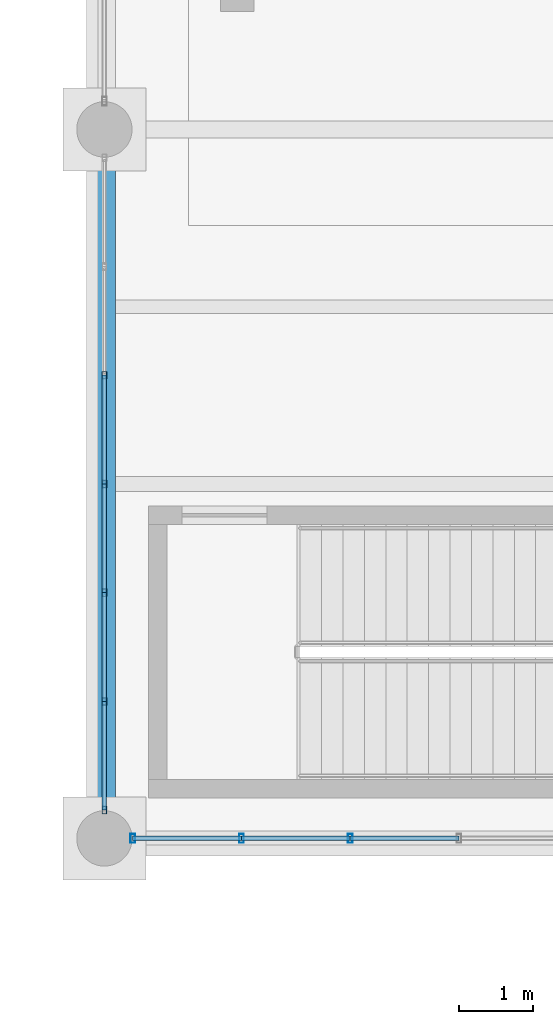
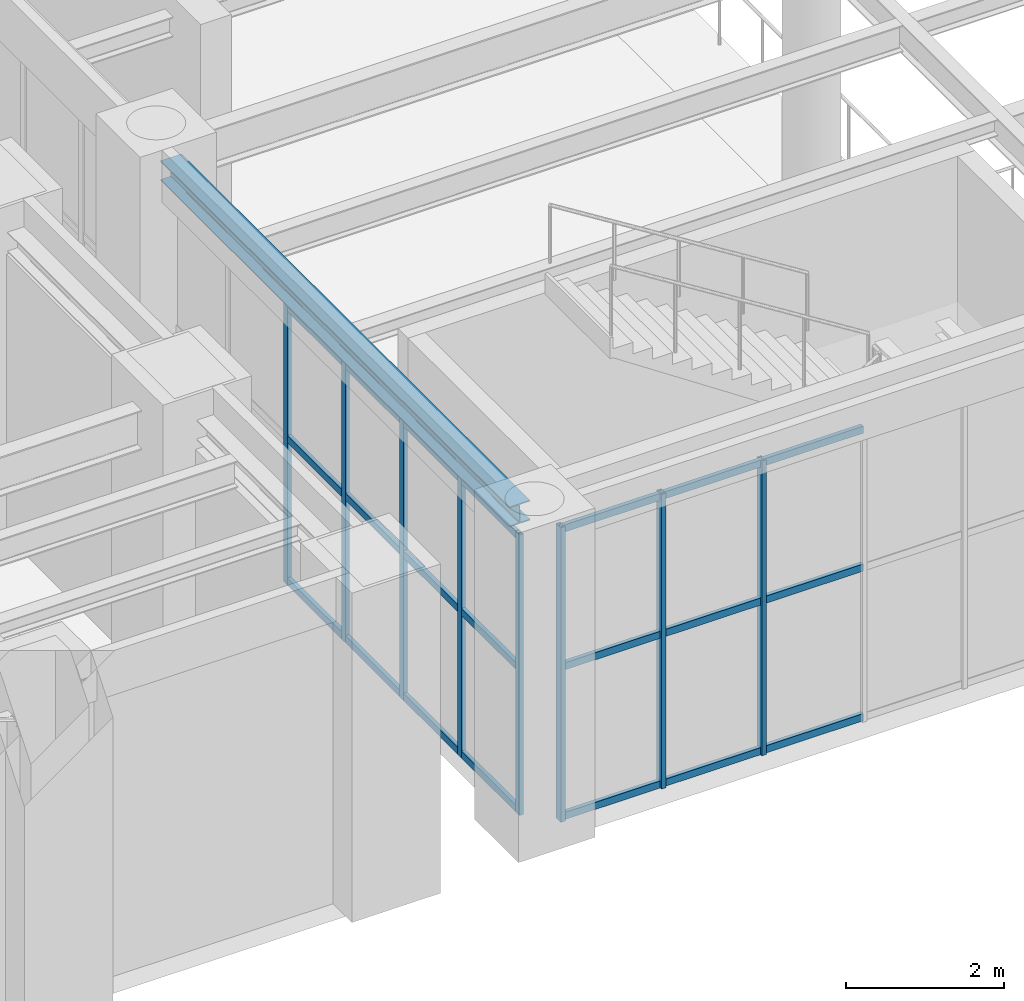
# One storey, part 31 of 174: 29 members, 1 beam, 2 elements without a shape of their own.
"""IFC4 building model written with IfcOpenShell, lengths in metres."""

from ifc_helpers import new_model, si_unit, direction, frame, origin, origin_2d, place, context, subcontext, project, spatial, hollow_rectangle, i_section, extrude, material, material_profile, profile_set, type_object, element, aggregate, save


model = new_model("IFC4")

# Units and contexts
model_context = context("Model", 3, precision=1e-05, world=origin(), true_north=direction((0.0, 1.0)))
body_context = subcontext(model_context, "Body", "Model", "MODEL_VIEW")
ifc_project = project(units=[si_unit("LENGTHUNIT", "METRE"), si_unit("AREAUNIT", "SQUARE_METRE"), si_unit("VOLUMEUNIT", "CUBIC_METRE"), si_unit("PLANEANGLEUNIT", "RADIAN"), si_unit("MASSUNIT", "GRAM", prefix="KILO")], contexts=[model_context])

# Site, building, storey
site_placement = place(None, origin())
site = spatial("IfcSite", under=ifc_project, at=site_placement, CompositionType="ELEMENT")
building_placement = place(site_placement, origin())
building = spatial("IfcBuilding", under=site, at=building_placement, Name="Mavantir Sound Aquarium", CompositionType="ELEMENT")
storey_placement = place(building_placement, frame((0.0, 0.0, 5.39990234375)))
storey = spatial("IfcBuildingStorey", under=building, at=storey_placement, Name="L01", CompositionType="ELEMENT", Elevation=5.39990234375)

# Beam
ifc_material_1 = material(Name="Structural Steel ASTM A992 Gr50", Category="steel")
ifc_material_profile_1 = material_profile(ifc_material_1, i_section(OverallWidth=0.304931640625, OverallDepth=0.30810546875, WebThickness=0.010009765625, FlangeThickness=0.015380859375, FilletRadius=0.014892578125, at=origin_2d()), Name="W310X97")
ifc_profile_set_1 = profile_set([ifc_material_profile_1], Name="Structural Steel ASTM A992 Gr50")
beam_type = type_object("IfcBeamType", Name="BM-W310X97-E", PredefinedType="SPANDREL", material=ifc_profile_set_1)
beam_placement = place(storey_placement, frame((36.0, 41.175048828125, 4.64208984375), z_axis=(0.0, 1.0, 0.0), x_axis=(-1.0, 0.0, 0.0)))
element("IfcBeam", 1, at=beam_placement, inside=storey, type_object=beam_type, Name="L01 primary girder SS-31A 1194", PredefinedType="SPANDREL", context=body_context, shape_type="SweptSolid", body=[
    extrude(i_section(OverallWidth=0.304931640625, OverallDepth=0.30810546875, WebThickness=0.010009765625, FlangeThickness=0.015380859375, FilletRadius=0.014892578125, at=origin_2d()), origin(), (0.0, 0.0, 1.0), 8.849853515625),
])

# Curtain wall, members
ifc_material_2 = material(Name="Anodised Marine Aluminium and Low-E Glass", Category="aluminium")
curtain_wall_type_1 = type_object("IfcCurtainWallType", Name="CW-T15", PredefinedType="USERDEFINED", material=ifc_material_2)
curtain_wall_1_placement = place(storey_placement, origin())
curtain_wall_1 = element("IfcCurtainWall", 2, at=curtain_wall_1_placement, inside=storey, type_object=curtain_wall_type_1, Name="L01 unitised curtain wall CW-15 63", ObjectType="UNITISED GLAZING", PredefinedType="USERDEFINED")
ifc_material_3 = material(Name="Anodised Marine Aluminium 6063-T6", Category="aluminium")
ifc_material_profile_2 = material_profile(ifc_material_3, hollow_rectangle(XDim=0.06005859375, YDim=0.10009765625, WallThickness=0.00390625, at=origin_2d()), Name="ALU-MULLION-100X60")
ifc_profile_set_2 = profile_set([ifc_material_profile_2], Name="Anodised Marine Aluminium 6063-T6")
member_type_1 = type_object("IfcMemberType", Name="CW-MUL-100", PredefinedType="MULLION", material=ifc_profile_set_2)
member_1_placement = place(storey_placement, frame((36.0, 47.072265625, 0.0), z_axis=(0.0, 0.0, 1.0), x_axis=(1.0, 0.0, 0.0)))
member_1 = element("IfcMember", 3, at=member_1_placement, type_object=member_type_1, Name="CW-L01-063 vertical mullion 3", PredefinedType="MULLION", context=body_context, shape_type="SweptSolid", body=[
    extrude(hollow_rectangle(XDim=0.06005859375, YDim=0.10009765625, WallThickness=0.00390625, at=origin_2d()), origin(), (0.0, 0.0, 1.0), 4.34912109375),
])
member_2_placement = place(storey_placement, frame((36.0, 45.60009765625, 0.0), z_axis=(0.0, 0.0, 1.0), x_axis=(1.0, 0.0, 0.0)))
member_2 = element("IfcMember", 4, at=member_2_placement, type_object=member_type_1, Name="CW-L01-063 vertical mullion 4", PredefinedType="MULLION", context=body_context, shape_type="SweptSolid", body=[
    extrude(hollow_rectangle(XDim=0.06005859375, YDim=0.10009765625, WallThickness=0.00390625, at=origin_2d()), origin(), (0.0, 0.0, 1.0), 4.34912109375),
])
member_3_placement = place(storey_placement, frame((36.0, 44.127685546875, 0.0), z_axis=(0.0, 0.0, 1.0), x_axis=(1.0, 0.0, 0.0)))
member_3 = element("IfcMember", 5, at=member_3_placement, type_object=member_type_1, Name="CW-L01-063 vertical mullion 5", PredefinedType="MULLION", context=body_context, shape_type="SweptSolid", body=[
    extrude(hollow_rectangle(XDim=0.06005859375, YDim=0.10009765625, WallThickness=0.00390625, at=origin_2d()), origin(), (0.0, 0.0, 1.0), 4.34912109375),
])
member_4_placement = place(storey_placement, frame((36.0, 42.6552734375, 0.0), z_axis=(0.0, 0.0, 1.0), x_axis=(1.0, 0.0, 0.0)))
member_4 = element("IfcMember", 6, at=member_4_placement, type_object=member_type_1, Name="CW-L01-063 vertical mullion 6", PredefinedType="MULLION", context=body_context, shape_type="SweptSolid", body=[
    extrude(hollow_rectangle(XDim=0.06005859375, YDim=0.10009765625, WallThickness=0.00390625, at=origin_2d()), origin(), (0.0, 0.0, 1.0), 4.34912109375),
])
member_5_placement = place(storey_placement, frame((36.0, 41.18310546875, 0.0), z_axis=(0.0, 0.0, 1.0), x_axis=(1.0, 0.0, 0.0)))
member_5 = element("IfcMember", 7, at=member_5_placement, type_object=member_type_1, Name="CW-L01-063 vertical mullion 7", PredefinedType="MULLION", context=body_context, shape_type="SweptSolid", body=[
    extrude(hollow_rectangle(XDim=0.06005859375, YDim=0.10009765625, WallThickness=0.00390625, at=origin_2d()), origin(), (0.0, 0.0, 1.0), 4.34912109375),
])

curtain_wall_type_2 = type_object("IfcCurtainWallType", Name="CW-T16", PredefinedType="USERDEFINED", material=ifc_material_2)
curtain_wall_2_placement = place(storey_placement, origin())
curtain_wall_2 = element("IfcCurtainWall", 8, at=curtain_wall_2_placement, inside=storey, type_object=curtain_wall_type_2, Name="L01 unitised curtain wall CW-16 64", ObjectType="UNITISED GLAZING", PredefinedType="USERDEFINED")
ifc_material_profile_3 = material_profile(ifc_material_3, hollow_rectangle(XDim=0.06494140625, YDim=0.1201171875, WallThickness=0.00390625, at=origin_2d()), Name="ALU-MULLION-120X65")
ifc_profile_set_3 = profile_set([ifc_material_profile_3], Name="Anodised Marine Aluminium 6063-T6")
member_type_2 = type_object("IfcMemberType", Name="CW-MUL-120", PredefinedType="MULLION", material=ifc_profile_set_3)
member_6_placement = place(storey_placement, frame((36.383056640625, 40.800048828125, 0.0), z_axis=(0.0, 0.0, 1.0), x_axis=(1.0, 0.0, 0.0)))
member_6 = element("IfcMember", 9, at=member_6_placement, type_object=member_type_2, Name="CW-L01-064 vertical mullion 1", PredefinedType="MULLION", context=body_context, shape_type="SweptSolid", body=[
    extrude(hollow_rectangle(XDim=0.06494140625, YDim=0.1201171875, WallThickness=0.00390625, at=origin_2d()), origin(), (0.0, 0.0, 1.0), 4.56298828125),
])
member_7_placement = place(storey_placement, frame((37.855224609375, 40.800048828125, 0.0), z_axis=(0.0, 0.0, 1.0), x_axis=(1.0, 0.0, 0.0)))
member_7 = element("IfcMember", 10, at=member_7_placement, type_object=member_type_2, Name="CW-L01-064 vertical mullion 2", PredefinedType="MULLION", context=body_context, shape_type="SweptSolid", body=[
    extrude(hollow_rectangle(XDim=0.06494140625, YDim=0.1201171875, WallThickness=0.00390625, at=origin_2d()), origin(), (0.0, 0.0, 1.0), 4.56298828125),
])
member_8_placement = place(storey_placement, frame((39.32763671875, 40.800048828125, 0.0), z_axis=(0.0, 0.0, 1.0), x_axis=(1.0, 0.0, 0.0)))
member_8 = element("IfcMember", 11, at=member_8_placement, type_object=member_type_2, Name="CW-L01-064 vertical mullion 3", PredefinedType="MULLION", context=body_context, shape_type="SweptSolid", body=[
    extrude(hollow_rectangle(XDim=0.06494140625, YDim=0.1201171875, WallThickness=0.00390625, at=origin_2d()), origin(), (0.0, 0.0, 1.0), 4.56298828125),
])

# Member
ifc_material_profile_4 = material_profile(ifc_material_3, hollow_rectangle(XDim=0.06005859375, YDim=0.110107421875, WallThickness=0.00390625, at=origin_2d()), Name="ALU-TRANSOM-110X60")
ifc_profile_set_4 = profile_set([ifc_material_profile_4], Name="Anodised Marine Aluminium 6063-T6")
member_type_3 = type_object("IfcMemberType", Name="CW-TRN-110", PredefinedType="USERDEFINED", material=ifc_profile_set_4)
member_9_placement = place(storey_placement, frame((36.0, 47.072265625, 0.05517578125), z_axis=(0.0, -1.0, 0.0), x_axis=(1.0, 0.0, 0.0)))
member_9 = element("IfcMember", 12, at=member_9_placement, type_object=member_type_3, Name="CW-L01-063 transom 3.1", ObjectType="TRANSOM", PredefinedType="USERDEFINED", context=body_context, shape_type="SweptSolid", body=[
    extrude(hollow_rectangle(XDim=0.06005859375, YDim=0.110107421875, WallThickness=0.00390625, at=origin_2d()), origin(), (0.0, 0.0, 1.0), 1.47216796875),
])

member_10_placement = place(storey_placement, frame((36.0, 47.072265625, 2.26171875), z_axis=(0.0, -1.0, 0.0), x_axis=(1.0, 0.0, 0.0)))
member_10 = element("IfcMember", 13, at=member_10_placement, type_object=member_type_3, Name="CW-L01-063 transom 3.2", ObjectType="TRANSOM", PredefinedType="USERDEFINED", context=body_context, shape_type="SweptSolid", body=[
    extrude(hollow_rectangle(XDim=0.06005859375, YDim=0.110107421875, WallThickness=0.00390625, at=origin_2d()), origin(), (0.0, 0.0, 1.0), 1.47216796875),
])

member_11_placement = place(storey_placement, frame((36.0, 47.072265625, 4.294189453125), z_axis=(0.0, -1.0, 0.0), x_axis=(1.0, 0.0, 0.0)))
member_11 = element("IfcMember", 14, at=member_11_placement, type_object=member_type_3, Name="CW-L01-063 transom 3.3", ObjectType="TRANSOM", PredefinedType="USERDEFINED", context=body_context, shape_type="SweptSolid", body=[
    extrude(hollow_rectangle(XDim=0.06005859375, YDim=0.110107421875, WallThickness=0.00390625, at=origin_2d()), origin(), (0.0, 0.0, 1.0), 1.47216796875),
])

member_12_placement = place(storey_placement, frame((36.0, 45.60009765625, 0.05517578125), z_axis=(0.0, -1.0, 0.0), x_axis=(1.0, 0.0, 0.0)))
member_12 = element("IfcMember", 15, at=member_12_placement, type_object=member_type_3, Name="CW-L01-063 transom 4.1", ObjectType="TRANSOM", PredefinedType="USERDEFINED", context=body_context, shape_type="SweptSolid", body=[
    extrude(hollow_rectangle(XDim=0.06005859375, YDim=0.110107421875, WallThickness=0.00390625, at=origin_2d()), origin(), (0.0, 0.0, 1.0), 1.472412109375),
])

member_13_placement = place(storey_placement, frame((36.0, 45.60009765625, 2.26171875), z_axis=(0.0, -1.0, 0.0), x_axis=(1.0, 0.0, 0.0)))
member_13 = element("IfcMember", 16, at=member_13_placement, type_object=member_type_3, Name="CW-L01-063 transom 4.2", ObjectType="TRANSOM", PredefinedType="USERDEFINED", context=body_context, shape_type="SweptSolid", body=[
    extrude(hollow_rectangle(XDim=0.06005859375, YDim=0.110107421875, WallThickness=0.00390625, at=origin_2d()), origin(), (0.0, 0.0, 1.0), 1.472412109375),
])

member_14_placement = place(storey_placement, frame((36.0, 45.60009765625, 4.294189453125), z_axis=(0.0, -1.0, 0.0), x_axis=(1.0, 0.0, 0.0)))
member_14 = element("IfcMember", 17, at=member_14_placement, type_object=member_type_3, Name="CW-L01-063 transom 4.3", ObjectType="TRANSOM", PredefinedType="USERDEFINED", context=body_context, shape_type="SweptSolid", body=[
    extrude(hollow_rectangle(XDim=0.06005859375, YDim=0.110107421875, WallThickness=0.00390625, at=origin_2d()), origin(), (0.0, 0.0, 1.0), 1.472412109375),
])

member_15_placement = place(storey_placement, frame((36.0, 44.127685546875, 0.05517578125), z_axis=(0.0, -1.0, 0.0), x_axis=(1.0, 0.0, 0.0)))
member_15 = element("IfcMember", 18, at=member_15_placement, type_object=member_type_3, Name="CW-L01-063 transom 5.1", ObjectType="TRANSOM", PredefinedType="USERDEFINED", context=body_context, shape_type="SweptSolid", body=[
    extrude(hollow_rectangle(XDim=0.06005859375, YDim=0.110107421875, WallThickness=0.00390625, at=origin_2d()), origin(), (0.0, 0.0, 1.0), 1.472412109375),
])

member_16_placement = place(storey_placement, frame((36.0, 44.127685546875, 2.26171875), z_axis=(0.0, -1.0, 0.0), x_axis=(1.0, 0.0, 0.0)))
member_16 = element("IfcMember", 19, at=member_16_placement, type_object=member_type_3, Name="CW-L01-063 transom 5.2", ObjectType="TRANSOM", PredefinedType="USERDEFINED", context=body_context, shape_type="SweptSolid", body=[
    extrude(hollow_rectangle(XDim=0.06005859375, YDim=0.110107421875, WallThickness=0.00390625, at=origin_2d()), origin(), (0.0, 0.0, 1.0), 1.472412109375),
])

member_17_placement = place(storey_placement, frame((36.0, 44.127685546875, 4.294189453125), z_axis=(0.0, -1.0, 0.0), x_axis=(1.0, 0.0, 0.0)))
member_17 = element("IfcMember", 20, at=member_17_placement, type_object=member_type_3, Name="CW-L01-063 transom 5.3", ObjectType="TRANSOM", PredefinedType="USERDEFINED", context=body_context, shape_type="SweptSolid", body=[
    extrude(hollow_rectangle(XDim=0.06005859375, YDim=0.110107421875, WallThickness=0.00390625, at=origin_2d()), origin(), (0.0, 0.0, 1.0), 1.472412109375),
])

member_18_placement = place(storey_placement, frame((36.0, 42.6552734375, 0.05517578125), z_axis=(0.0, -1.0, 0.0), x_axis=(1.0, 0.0, 0.0)))
member_18 = element("IfcMember", 21, at=member_18_placement, type_object=member_type_3, Name="CW-L01-063 transom 6.1", ObjectType="TRANSOM", PredefinedType="USERDEFINED", context=body_context, shape_type="SweptSolid", body=[
    extrude(hollow_rectangle(XDim=0.06005859375, YDim=0.110107421875, WallThickness=0.00390625, at=origin_2d()), origin(), (0.0, 0.0, 1.0), 1.47216796875),
])

member_19_placement = place(storey_placement, frame((36.0, 42.6552734375, 2.26171875), z_axis=(0.0, -1.0, 0.0), x_axis=(1.0, 0.0, 0.0)))
member_19 = element("IfcMember", 22, at=member_19_placement, type_object=member_type_3, Name="CW-L01-063 transom 6.2", ObjectType="TRANSOM", PredefinedType="USERDEFINED", context=body_context, shape_type="SweptSolid", body=[
    extrude(hollow_rectangle(XDim=0.06005859375, YDim=0.110107421875, WallThickness=0.00390625, at=origin_2d()), origin(), (0.0, 0.0, 1.0), 1.47216796875),
])

member_20_placement = place(storey_placement, frame((36.0, 42.6552734375, 4.294189453125), z_axis=(0.0, -1.0, 0.0), x_axis=(1.0, 0.0, 0.0)))
member_20 = element("IfcMember", 23, at=member_20_placement, type_object=member_type_3, Name="CW-L01-063 transom 6.3", ObjectType="TRANSOM", PredefinedType="USERDEFINED", context=body_context, shape_type="SweptSolid", body=[
    extrude(hollow_rectangle(XDim=0.06005859375, YDim=0.110107421875, WallThickness=0.00390625, at=origin_2d()), origin(), (0.0, 0.0, 1.0), 1.47216796875),
])

aggregate(curtain_wall_1, [member_1, member_2, member_3, member_4, member_5, member_9, member_10, member_11, member_12, member_13, member_14, member_15, member_16, member_17, member_18, member_19, member_20])

member_21_placement = place(storey_placement, frame((36.383056640625, 40.800048828125, 0.05517578125), z_axis=(1.0, 0.0, 0.0), x_axis=(0.0, 1.0, 0.0)))
member_21 = element("IfcMember", 24, at=member_21_placement, type_object=member_type_3, Name="CW-L01-064 transom 1.1", ObjectType="TRANSOM", PredefinedType="USERDEFINED", context=body_context, shape_type="SweptSolid", body=[
    extrude(hollow_rectangle(XDim=0.06005859375, YDim=0.110107421875, WallThickness=0.00390625, at=origin_2d()), origin(), (0.0, 0.0, 1.0), 1.47216796875),
])

member_22_placement = place(storey_placement, frame((36.383056640625, 40.800048828125, 2.372802734375), z_axis=(1.0, 0.0, 0.0), x_axis=(0.0, 1.0, 0.0)))
member_22 = element("IfcMember", 25, at=member_22_placement, type_object=member_type_3, Name="CW-L01-064 transom 1.2", ObjectType="TRANSOM", PredefinedType="USERDEFINED", context=body_context, shape_type="SweptSolid", body=[
    extrude(hollow_rectangle(XDim=0.06005859375, YDim=0.110107421875, WallThickness=0.00390625, at=origin_2d()), origin(), (0.0, 0.0, 1.0), 1.47216796875),
])

member_23_placement = place(storey_placement, frame((36.383056640625, 40.800048828125, 4.508056640625), z_axis=(1.0, 0.0, 0.0), x_axis=(0.0, 1.0, 0.0)))
member_23 = element("IfcMember", 26, at=member_23_placement, type_object=member_type_3, Name="CW-L01-064 transom 1.3", ObjectType="TRANSOM", PredefinedType="USERDEFINED", context=body_context, shape_type="SweptSolid", body=[
    extrude(hollow_rectangle(XDim=0.06005859375, YDim=0.110107421875, WallThickness=0.00390625, at=origin_2d()), origin(), (0.0, 0.0, 1.0), 1.47216796875),
])

member_24_placement = place(storey_placement, frame((37.855224609375, 40.800048828125, 0.05517578125), z_axis=(1.0, 0.0, 0.0), x_axis=(0.0, 1.0, 0.0)))
member_24 = element("IfcMember", 27, at=member_24_placement, type_object=member_type_3, Name="CW-L01-064 transom 2.1", ObjectType="TRANSOM", PredefinedType="USERDEFINED", context=body_context, shape_type="SweptSolid", body=[
    extrude(hollow_rectangle(XDim=0.06005859375, YDim=0.110107421875, WallThickness=0.00390625, at=origin_2d()), origin(), (0.0, 0.0, 1.0), 1.472412109375),
])

member_25_placement = place(storey_placement, frame((37.855224609375, 40.800048828125, 2.372802734375), z_axis=(1.0, 0.0, 0.0), x_axis=(0.0, 1.0, 0.0)))
member_25 = element("IfcMember", 28, at=member_25_placement, type_object=member_type_3, Name="CW-L01-064 transom 2.2", ObjectType="TRANSOM", PredefinedType="USERDEFINED", context=body_context, shape_type="SweptSolid", body=[
    extrude(hollow_rectangle(XDim=0.06005859375, YDim=0.110107421875, WallThickness=0.00390625, at=origin_2d()), origin(), (0.0, 0.0, 1.0), 1.472412109375),
])

member_26_placement = place(storey_placement, frame((37.855224609375, 40.800048828125, 4.508056640625), z_axis=(1.0, 0.0, 0.0), x_axis=(0.0, 1.0, 0.0)))
member_26 = element("IfcMember", 29, at=member_26_placement, type_object=member_type_3, Name="CW-L01-064 transom 2.3", ObjectType="TRANSOM", PredefinedType="USERDEFINED", context=body_context, shape_type="SweptSolid", body=[
    extrude(hollow_rectangle(XDim=0.06005859375, YDim=0.110107421875, WallThickness=0.00390625, at=origin_2d()), origin(), (0.0, 0.0, 1.0), 1.472412109375),
])

member_27_placement = place(storey_placement, frame((39.32763671875, 40.800048828125, 0.05517578125), z_axis=(1.0, 0.0, 0.0), x_axis=(0.0, 1.0, 0.0)))
member_27 = element("IfcMember", 30, at=member_27_placement, type_object=member_type_3, Name="CW-L01-064 transom 3.1", ObjectType="TRANSOM", PredefinedType="USERDEFINED", context=body_context, shape_type="SweptSolid", body=[
    extrude(hollow_rectangle(XDim=0.06005859375, YDim=0.110107421875, WallThickness=0.00390625, at=origin_2d()), origin(), (0.0, 0.0, 1.0), 1.472412109375),
])

member_28_placement = place(storey_placement, frame((39.32763671875, 40.800048828125, 2.372802734375), z_axis=(1.0, 0.0, 0.0), x_axis=(0.0, 1.0, 0.0)))
member_28 = element("IfcMember", 31, at=member_28_placement, type_object=member_type_3, Name="CW-L01-064 transom 3.2", ObjectType="TRANSOM", PredefinedType="USERDEFINED", context=body_context, shape_type="SweptSolid", body=[
    extrude(hollow_rectangle(XDim=0.06005859375, YDim=0.110107421875, WallThickness=0.00390625, at=origin_2d()), origin(), (0.0, 0.0, 1.0), 1.472412109375),
])

member_29_placement = place(storey_placement, frame((39.32763671875, 40.800048828125, 4.508056640625), z_axis=(1.0, 0.0, 0.0), x_axis=(0.0, 1.0, 0.0)))
member_29 = element("IfcMember", 32, at=member_29_placement, type_object=member_type_3, Name="CW-L01-064 transom 3.3", ObjectType="TRANSOM", PredefinedType="USERDEFINED", context=body_context, shape_type="SweptSolid", body=[
    extrude(hollow_rectangle(XDim=0.06005859375, YDim=0.110107421875, WallThickness=0.00390625, at=origin_2d()), origin(), (0.0, 0.0, 1.0), 1.472412109375),
])

aggregate(curtain_wall_2, [member_6, member_7, member_8, member_21, member_22, member_23, member_24, member_25, member_26, member_27, member_28, member_29])

save(model, "model.ifc")
